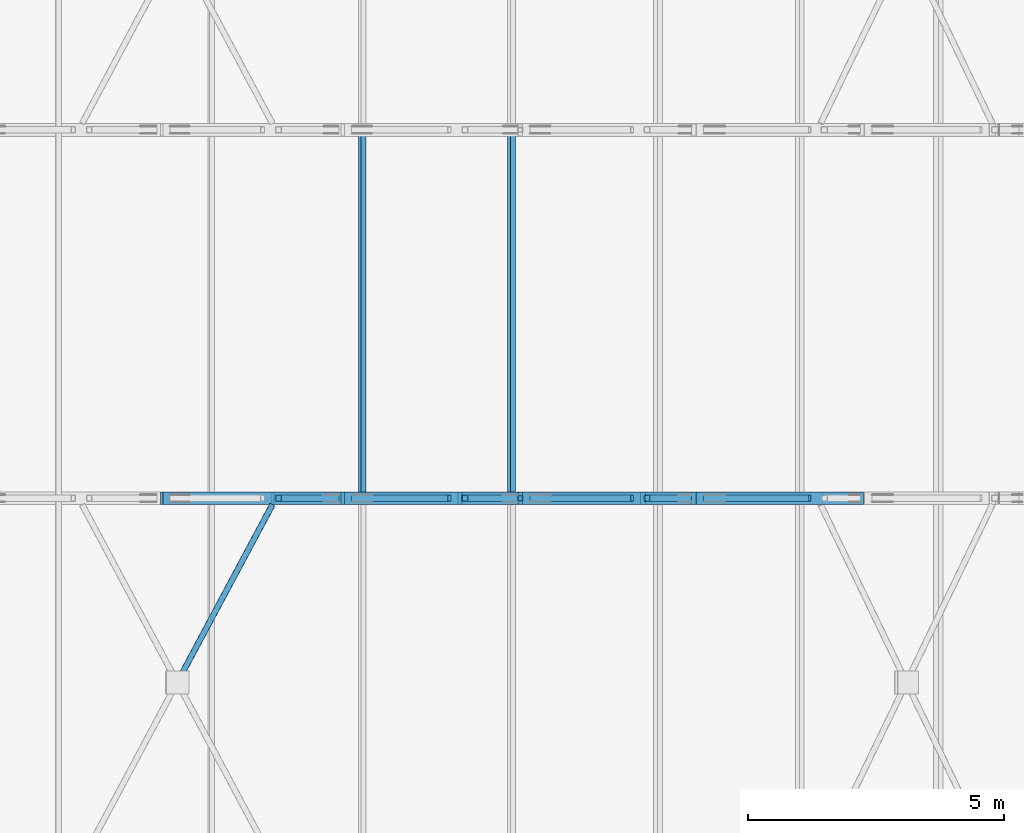
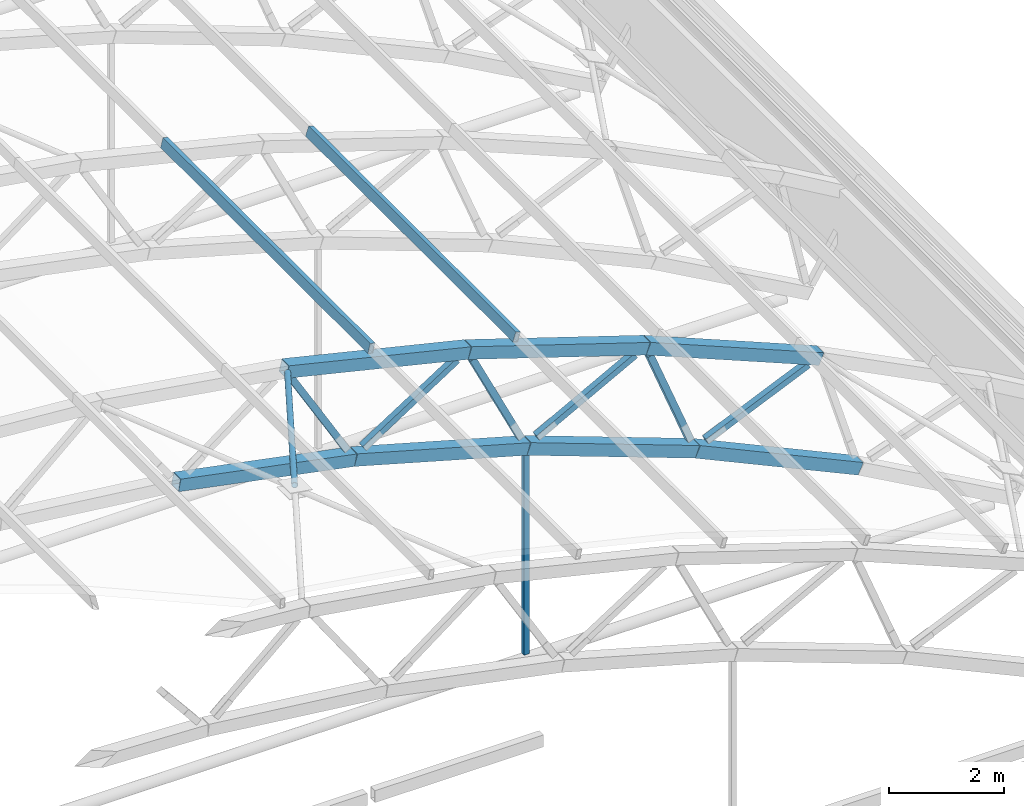
# One storey, part 53 of 127: 17 members.
"""IFC4 building model written with IfcOpenShell, lengths in metres."""

from ifc_helpers import new_model, si_unit, direction, frame, origin, origin_2d, place, context, subcontext, project, spatial, hollow_rectangle, hollow_circle, extrude, material, material_profile, profile_set, type_object, element, save


model = new_model("IFC4")

# Units and contexts
model_context = context("Model", 3, precision=1e-05, world=origin(), true_north=direction((0.0, 1.0)))
body_context = subcontext(model_context, "Body", "Model", "MODEL_VIEW")
ifc_project = project(units=[si_unit("LENGTHUNIT", "METRE"), si_unit("AREAUNIT", "SQUARE_METRE"), si_unit("VOLUMEUNIT", "CUBIC_METRE"), si_unit("PLANEANGLEUNIT", "RADIAN"), si_unit("MASSUNIT", "GRAM", prefix="KILO")], contexts=[model_context])

# Site, building, storey
site_placement = place(None, origin())
site = spatial("IfcSite", under=ifc_project, at=site_placement, CompositionType="ELEMENT")
building_placement = place(site_placement, origin())
building = spatial("IfcBuilding", under=site, at=building_placement, Name="Verrick Yard Athletic Hall", CompositionType="ELEMENT")
storey_placement = place(building_placement, frame((0.0, 0.0, 14.0)))
storey = spatial("IfcBuildingStorey", under=building, at=storey_placement, Name="L03", CompositionType="ELEMENT", Elevation=14.0)

# Members
ifc_material = material(Name="Structural steel HSS Class C 350W (CSA G40.20/G40.21)", Category="steel")
ifc_material_profile_1 = material_profile(ifc_material, hollow_rectangle(XDim=0.25390625, YDim=0.25390625, WallThickness=0.009521484375, at=origin_2d()), Name="HSS254x254x9.5")
ifc_profile_set_1 = profile_set([ifc_material_profile_1], Name="Structural steel HSS Class C 350W (CSA G40.20/G40.21)")
member_type_1 = type_object("IfcMemberType", Name="HB bottom chord HSS254x254x9.5", PredefinedType="CHORD", material=ifc_profile_set_1)
for number, where, z_axis, x_axis, name in (
    (1, (152.789306640625, 79.199951171875, 6.191650390625), (0.980848695375, 0.0, -0.194771242181), (0.0, 1.0, 0.0), "Truss TA2 bottom chord 10"),
    (2, (156.326171875, 79.199951171875, 5.489013671875), (0.962577364933, 0.0, -0.271007041457), (0.0, 1.0, 0.0), "Truss TA2 bottom chord 11"),
):
    element("IfcMember", number, at=place(storey_placement, frame(where, z_axis=z_axis, x_axis=x_axis)), inside=storey, type_object=member_type_1, Name=name, PredefinedType="CHORD", context=body_context, shape_type="SweptSolid", body=[
        extrude(hollow_rectangle(XDim=0.25390625, YDim=0.25390625, WallThickness=0.009521484375, at=origin_2d()), origin(), (0.0, 0.0, 1.0), 3.59619140625),
    ])
member_1_placement = place(storey_placement, frame((159.797119140625, 79.199951171875, 4.51123046875), z_axis=(0.938394107905, 0.0, -0.345566922966), x_axis=(0.0, 1.0, 0.0)))
element("IfcMember", 3, at=member_1_placement, inside=storey, type_object=member_type_1, Name="Truss TA2 bottom chord 12", PredefinedType="CHORD", context=body_context, shape_type="SweptSolid", body=[
    extrude(hollow_rectangle(XDim=0.25390625, YDim=0.25390625, WallThickness=0.009521484375, at=origin_2d()), origin(), (0.0, 0.0, 1.0), 3.595947265625),
])
member_2_placement = place(storey_placement, frame((163.180908203125, 79.199951171875, 3.2646484375), z_axis=(0.908445597889, 0.0, -0.418003104865), x_axis=(0.0, 1.0, 0.0)))
element("IfcMember", 4, at=member_2_placement, inside=storey, type_object=member_type_1, Name="Truss TA2 bottom chord 13", PredefinedType="CHORD", context=body_context, shape_type="SweptSolid", body=[
    extrude(hollow_rectangle(XDim=0.25390625, YDim=0.25390625, WallThickness=0.009521484375, at=origin_2d()), origin(), (0.0, 0.0, 1.0), 3.59619140625),
])
ifc_material_profile_2 = material_profile(ifc_material, hollow_rectangle(XDim=0.1015625, YDim=0.203125, WallThickness=0.009521484375, at=origin_2d()), Name="HSS203x102x9.5")
ifc_profile_set_2 = profile_set([ifc_material_profile_2], Name="Structural steel HSS Class C 350W (CSA G40.20/G40.21)")
member_type_2 = type_object("IfcMemberType", Name="HB purlin HSS203x102x9.5", PredefinedType="PURLIN", material=ifc_profile_set_2)
for number, where, z_axis, x_axis, name in (
    (5, (156.70703125, 79.199951171875, 7.651611328125), (0.0, 1.0, 0.0), (-0.972458956474, 0.0, 0.23307418985), "HB-PU-A-2-13"),
    (6, (159.62060546875, 79.199951171875, 6.872802734375), (0.0, 1.0, 0.0), (-0.951213620533, 0.0, 0.308533058379), "HB-PU-A-2-14"),
):
    element("IfcMember", number, at=place(storey_placement, frame(where, z_axis=z_axis, x_axis=x_axis)), inside=storey, type_object=member_type_2, Name=name, PredefinedType="PURLIN", context=body_context, shape_type="SweptSolid", body=[
        extrude(hollow_rectangle(XDim=0.1015625, YDim=0.203125, WallThickness=0.009521484375, at=origin_2d()), origin(), (0.0, 0.0, 1.0), 7.199951171875),
    ])
ifc_material_profile_3 = material_profile(ifc_material, hollow_circle(Radius=0.05712890625, WallThickness=0.00634765625, at=origin_2d()), Name="HSS114x6.4")
ifc_profile_set_3 = profile_set([ifc_material_profile_3], Name="Structural steel HSS Class C 350W (CSA G40.20/G40.21)")
member_type_3 = type_object("IfcMemberType", Name="HB roof brace HSS114x6.4", PredefinedType="BRACE", material=ifc_profile_set_3)
member_3_placement = place(storey_placement, frame((153.140625, 75.69287109375, 8.123779296875), z_axis=(0.470520782895, 0.879249593627, -0.074366289212), x_axis=(-0.881691001461, 0.471827275538, 0.0)))
element("IfcMember", 7, at=member_3_placement, inside=storey, type_object=member_type_3, Name="HB-BR-A-1-8b2", PredefinedType="BRACE", context=body_context, shape_type="SweptSolid", body=[
    extrude(hollow_circle(Radius=0.05712890625, WallThickness=0.00634765625, at=origin_2d()), origin(), (0.0, 0.0, 1.0), 3.84423828125),
])
ifc_material_profile_4 = material_profile(ifc_material, hollow_rectangle(XDim=0.25390625, YDim=0.25390625, WallThickness=0.009521484375, at=origin_2d()), Name="HSS254x254x9.5")
ifc_profile_set_4 = profile_set([ifc_material_profile_4], Name="Structural steel HSS Class C 350W (CSA G40.20/G40.21)")
member_type_4 = type_object("IfcMemberType", Name="HB top chord HSS254x254x9.5", PredefinedType="CHORD", material=ifc_profile_set_4)
for number, where, z_axis, x_axis, name in (
    (8, (154.9541015625, 79.199951171875, 7.836669921875), (0.972457525524, 0.0, -0.233080160141), (0.0, 1.0, 0.0), "Truss TA2 top chord 11"),
    (9, (158.61328125, 79.199951171875, 6.959228515625), (0.951208887206, 0.0, -0.308547650938), (0.0, 1.0, 0.0), "Truss TA2 top chord 12"),
    (10, (162.1923828125, 79.199951171875, 5.7978515625), (0.924139625494, 0.0, -0.382054907823), (0.0, 1.0, 0.0), "Truss TA2 top chord 13"),
):
    element("IfcMember", number, at=place(storey_placement, frame(where, z_axis=z_axis, x_axis=x_axis)), inside=storey, type_object=member_type_4, Name=name, PredefinedType="CHORD", context=body_context, shape_type="SweptSolid", body=[
        extrude(hollow_rectangle(XDim=0.25390625, YDim=0.25390625, WallThickness=0.009521484375, at=origin_2d()), origin(), (0.0, 0.0, 1.0), 3.7529296875),
    ])
ifc_material_profile_5 = material_profile(ifc_material, hollow_rectangle(XDim=0.1015625, YDim=0.1015625, WallThickness=0.00634765625, at=origin_2d()), Name="HSS102x102x6.4")
ifc_profile_set_5 = profile_set([ifc_material_profile_5], Name="Structural steel HSS Class C 350W (CSA G40.20/G40.21)")
member_type_5 = type_object("IfcMemberType", Name="HB truss hanger HSS102x102x6.4", PredefinedType="MEMBER", material=ifc_profile_set_5)
member_4_placement = place(storey_placement, frame((159.79248046875, 79.199951171875, 4.35888671875), z_axis=(0.0, 0.0, -1.0), x_axis=(0.0, -1.0, 0.0)))
element("IfcMember", 11, at=member_4_placement, inside=storey, type_object=member_type_5, Name="Truss TA2 hanger 3", PredefinedType="MEMBER", context=body_context, shape_type="SweptSolid", body=[
    extrude(hollow_rectangle(XDim=0.1015625, YDim=0.1015625, WallThickness=0.00634765625, at=origin_2d()), origin(), (0.0, 0.0, 1.0), 4.249267578125),
])
ifc_material_profile_6 = material_profile(ifc_material, hollow_rectangle(XDim=0.126953125, YDim=0.126953125, WallThickness=0.009521484375, at=origin_2d()), Name="HSS127x127x9.5")
ifc_profile_set_6 = profile_set([ifc_material_profile_6], Name="Structural steel HSS Class C 350W (CSA G40.20/G40.21)")
member_type_6 = type_object("IfcMemberType", Name="HB truss web HSS127x127x9.5", PredefinedType="BRACE", material=ifc_profile_set_6)
for number, where, z_axis, x_axis, name in (
    (12, (155.06884765625, 79.199951171875, 7.633544921875), (0.504543682156, 0.0, -0.86338616667), (0.0, 1.0, 0.0), "Truss TA2 web 20"),
    (13, (156.53076171875, 79.199951171875, 5.624755859375), (0.841118094735, 0.0, 0.54085150523), (0.0, 1.0, 0.0), "Truss TA2 web 21"),
    (14, (158.711669921875, 79.199951171875, 6.74755859375), (0.435458074734, 0.0, -0.900209011924), (0.0, 1.0, 0.0), "Truss TA2 web 22"),
    (15, (160.01171875, 79.199951171875, 4.630615234375), (0.880902446091, 0.0, 0.473297877103), (0.0, 1.0, 0.0), "Truss TA2 web 23"),
    (16, (162.27392578125, 79.199951171875, 5.579345703125), (0.363537858519, 0.0, -0.931579425183), (0.0, 1.0, 0.0), "Truss TA2 web 24"),
    (17, (163.404052734375, 79.199951171875, 3.366943359375), (0.915297302882, 0.0, 0.402778906272), (0.0, 1.0, 0.0), "Truss TA2 web 25"),
):
    element("IfcMember", number, at=place(storey_placement, frame(where, z_axis=z_axis, x_axis=x_axis)), inside=storey, type_object=member_type_6, Name=name, PredefinedType="BRACE", context=body_context, shape_type="SweptSolid", body=[
        extrude(hollow_rectangle(XDim=0.126953125, YDim=0.126953125, WallThickness=0.009521484375, at=origin_2d()), origin(), (0.0, 0.0, 1.0), 2.233642578125),
    ])

save(model, "model.ifc")
